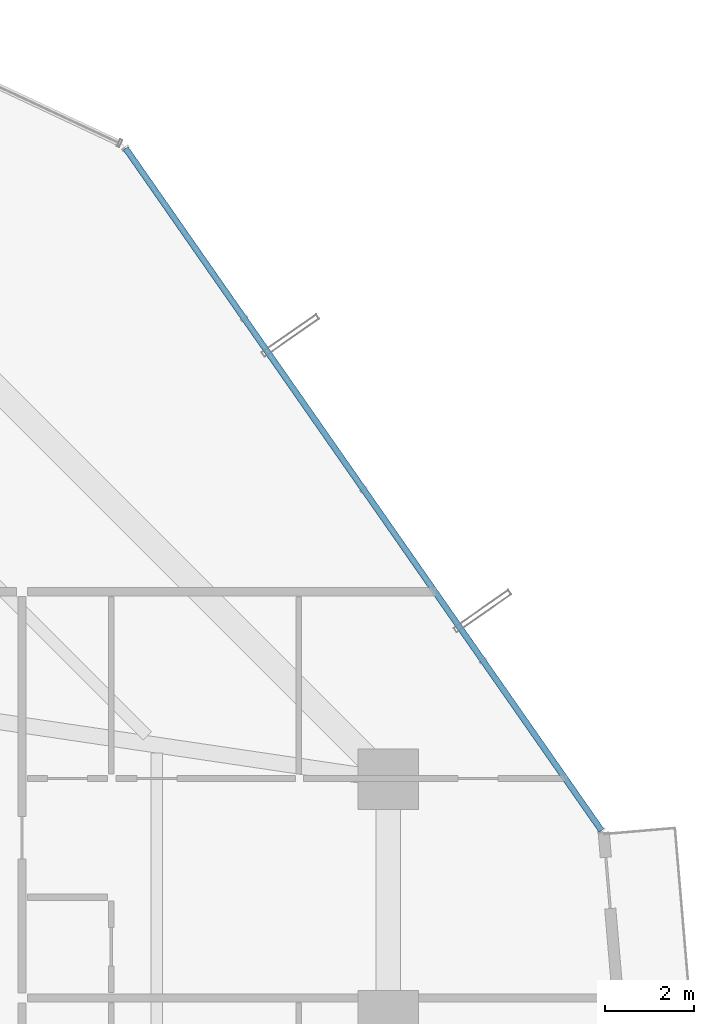
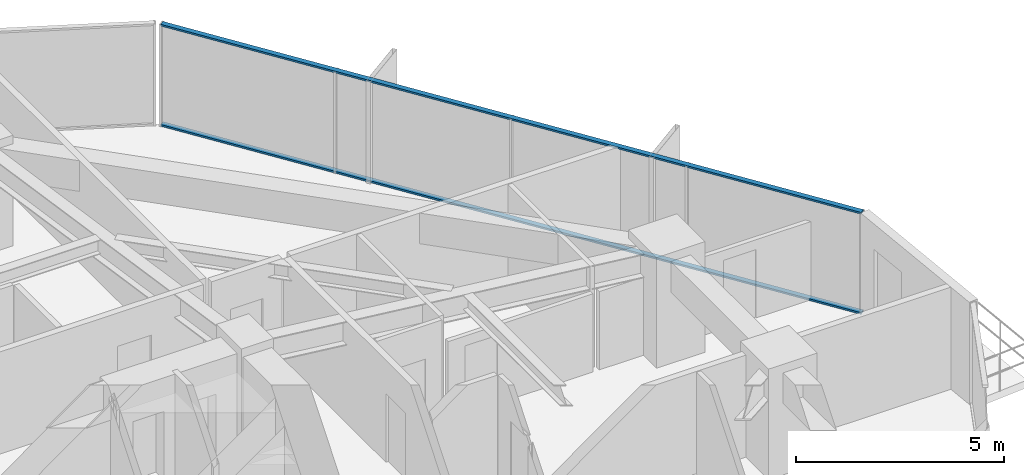
# One storey, part 30 of 37: 2 members, 1 element without a shape of its own.
"""IFC4 building model written with IfcOpenShell, lengths in metres."""

import ifcopenshell
import ifcopenshell.guid

model = None  # the IFC model being written
_history = None  # IfcOwnerHistory: only IFC2X3 demands one
_inside = {}  # id of a spatial element -> (the spatial element, [elements in it])
_under = {}  # id of a project, library or spatial element -> (it, [spatial elements below it])
_declared = {}  # id of a project -> (the project, [libraries it declares])
_typed = {}  # id of a type object -> (the type object, [elements of that type])
_made_of = {}  # id of a material, layer set ... -> (it, [elements and type objects made of it])


def new_model(schema):
    """Start an empty IFC model of exactly this schema.

    Asked for "IFC4X3", IfcOpenShell would pick the latest addendum, in which some entities
    have other attributes; the version numbers below select the first issue.
    IFC2X3 requires an IfcOwnerHistory on every rooted entity: one is made here for all.
    """
    global model, _history
    if schema == "IFC4X3":
        model = ifcopenshell.file(schema_version=(4, 3, 0, 0))
    else:
        model = ifcopenshell.file(schema=schema)
    _inside.clear()
    _under.clear()
    _declared.clear()
    _typed.clear()
    _made_of.clear()
    _history = None
    if model.schema == "IFC2X3":
        org = make("IfcOrganization", Name="unknown")
        user = make(
            "IfcPersonAndOrganization",
            ThePerson=make("IfcPerson", FamilyName="unknown"),
            TheOrganization=org,
        )
        app = make(
            "IfcApplication",
            ApplicationDeveloper=org,
            Version="unknown",
            ApplicationFullName="unknown",
            ApplicationIdentifier="unknown",
        )
        _history = make(
            "IfcOwnerHistory",
            OwningUser=user,
            OwningApplication=app,
            ChangeAction="ADDED",
            CreationDate=0,
        )
    return model


def make(cls, **values):
    """One entity of the class cls with the attributes given. An attribute that is None is left unset."""
    return model.create_entity(
        cls, **{name: value for name, value in values.items() if value is not None}
    )


def rooted(cls, **values):
    """An entity with a GlobalId (a new one), such as an element, a storey or a relation."""
    return make(cls, GlobalId=ifcopenshell.guid.new(), OwnerHistory=_history, **values)


def si_unit(unit_type, name, prefix=None):
    """IfcSIUnit, for example si_unit("LENGTHUNIT", "METRE", prefix="MILLI")."""
    return make("IfcSIUnit", UnitType=unit_type, Prefix=prefix, Name=name)


def assignment(units):
    """IfcUnitAssignment: the units of a project."""
    return None if units is None else make("IfcUnitAssignment", Units=units)


def point(xyz):
    """IfcCartesianPoint."""
    return None if xyz is None else make("IfcCartesianPoint", Coordinates=xyz)


def direction(xyz):
    """IfcDirection."""
    return None if xyz is None else make("IfcDirection", DirectionRatios=xyz)


def frame(location, z_axis=None, x_axis=None):
    """IfcAxis2Placement3D, a coordinate frame: its origin and axes. An axis left out is left unset."""
    return make(
        "IfcAxis2Placement3D",
        Location=point(location),
        Axis=direction(z_axis),
        RefDirection=direction(x_axis),
    )


def frame_2d(location, x_axis=None):
    """IfcAxis2Placement2D, a coordinate frame in the plane: its origin and x axis."""
    return make(
        "IfcAxis2Placement2D", Location=point(location), RefDirection=direction(x_axis)
    )


def origin():
    """The frame at (0, 0, 0) with its axes left unset."""
    return frame((0.0, 0.0, 0.0))


def origin_2d():
    """The frame at (0, 0) in the plane with its x axis left unset."""
    return frame_2d((0.0, 0.0))


def place(relative_to, where):
    """IfcLocalPlacement: puts the frame where relative to a parent placement (None: the world)."""
    return make(
        "IfcLocalPlacement", PlacementRelTo=relative_to, RelativePlacement=where
    )


def context(
    kind, dimensions, precision=None, world=None, true_north=None, identifier=None
):
    """IfcGeometricRepresentationContext, for example the 3D "Model" context."""
    return make(
        "IfcGeometricRepresentationContext",
        ContextIdentifier=identifier,
        ContextType=kind,
        CoordinateSpaceDimension=dimensions,
        Precision=precision,
        WorldCoordinateSystem=world,
        TrueNorth=true_north,
    )


def subcontext(parent, identifier, kind, view, scale=None):
    """IfcGeometricRepresentationSubContext, for example "Body" below "Model"."""
    return make(
        "IfcGeometricRepresentationSubContext",
        ContextIdentifier=identifier,
        ContextType=kind,
        ParentContext=parent,
        TargetScale=scale,
        TargetView=view,
    )


def project(units=None, contexts=None):
    """IfcProject with its units and contexts."""
    return rooted(
        "IfcProject",
        Name="project",
        RepresentationContexts=contexts,
        UnitsInContext=assignment(units),
    )


def spatial(cls, under=None, at=None, **own):
    """A site, building, storey or space (cls), placed at a placement, below another one or the project."""
    s = rooted(cls, ObjectPlacement=at, **own)
    if under is not None:
        _under.setdefault(under.id(), (under, []))[1].append(s)
    return s


def profile(cls, at=None, kind="AREA", **sizes):
    """A parametric profile (cls). Its sizes go by their IFC names, for example OverallWidth=200.0."""
    return make(cls, ProfileType=kind, Position=at, **sizes)


def hollow_rectangle(**sizes):
    """IfcRectangleHollowProfileDef."""
    return profile("IfcRectangleHollowProfileDef", **sizes)


def extrude(swept, where, along, depth):
    """IfcExtrudedAreaSolid: the profile swept, set in the frame where, extruded along a direction by depth."""
    return make(
        "IfcExtrudedAreaSolid",
        SweptArea=swept,
        Position=where,
        ExtrudedDirection=direction(along),
        Depth=depth,
    )


def shape(context_of_items, identifier, shape_type, items):
    """IfcShapeRepresentation: the items that make up one representation, for example the "Body"."""
    return make(
        "IfcShapeRepresentation",
        ContextOfItems=context_of_items,
        RepresentationIdentifier=identifier,
        RepresentationType=shape_type,
        Items=items,
    )


def source(mapping_origin, context_of_items, identifier, shape_type, items):
    """IfcRepresentationMap: a shape defined once, which mapped items show again and again."""
    return make(
        "IfcRepresentationMap",
        MappingOrigin=mapping_origin,
        MappedRepresentation=shape(context_of_items, identifier, shape_type, items),
    )


def transform(
    local_origin,
    x_axis=None,
    y_axis=None,
    z_axis=None,
    scale=None,
    scale2=None,
    scale3=None,
    uniform=True,
):
    """IfcCartesianTransformationOperator3D, or its non-uniform kind. x_axis, y_axis, z_axis: its Axis1, 2, 3."""
    if uniform:
        return make(
            "IfcCartesianTransformationOperator3D",
            Axis1=direction(x_axis),
            Axis2=direction(y_axis),
            LocalOrigin=point(local_origin),
            Scale=scale,
            Axis3=direction(z_axis),
        )
    return make(
        "IfcCartesianTransformationOperator3DnonUniform",
        Axis1=direction(x_axis),
        Axis2=direction(y_axis),
        LocalOrigin=point(local_origin),
        Scale=scale,
        Axis3=direction(z_axis),
        Scale2=scale2,
        Scale3=scale3,
    )


def mapped(mapping_source, mapping_target):
    """IfcMappedItem: shows the shape of a source again, moved by a transform."""
    return make(
        "IfcMappedItem", MappingSource=mapping_source, MappingTarget=mapping_target
    )


def material(Name=None, Category=None):
    """IfcMaterial."""
    return make("IfcMaterial", Name=Name, Category=Category)


def layer(
    of_material, thickness, ventilated=None, Name=None, Category=None, Priority=None
):
    """IfcMaterialLayer: one layer of a wall or slab, of a material (None: an air gap)."""
    return make(
        "IfcMaterialLayer",
        Material=of_material,
        LayerThickness=thickness,
        IsVentilated=ventilated,
        Name=Name,
        Category=Category,
        Priority=Priority,
    )


def layer_set(layers, Name=None):
    """IfcMaterialLayerSet."""
    return make("IfcMaterialLayerSet", MaterialLayers=layers, LayerSetName=Name)


def material_profile(
    of_material, cross_section, Name=None, Category=None, Priority=None
):
    """IfcMaterialProfile: a cross section and its material."""
    return make(
        "IfcMaterialProfile",
        Name=Name,
        Material=of_material,
        Profile=cross_section,
        Priority=Priority,
        Category=Category,
    )


def profile_set(profiles, Name=None, composite=None):
    """IfcMaterialProfileSet."""
    return make(
        "IfcMaterialProfileSet",
        Name=Name,
        MaterialProfiles=profiles,
        CompositeProfile=composite,
    )


def made_of(thing, what):
    """Note that an element or type object is made of a material, layer set ...; save() writes the relation."""
    if what is not None:
        _made_of.setdefault(what.id(), (what, []))[1].append(thing)
    return thing


def type_object(cls, material=None, **own):
    """A type object (cls), such as IfcWallType, which elements share."""
    return made_of(rooted(cls, **own), material)


def element(
    cls,
    number,
    at=None,
    inside=None,
    cuts=None,
    type_object=None,
    material=None,
    context=None,
    identifier="Body",
    shape_type=None,
    held_by="IfcProductDefinitionShape",
    body=None,
    shapes=None,
    **own,
):
    """One element of the class cls, such as IfcWall. Its Tag is "e" and its number.

    at: its placement. inside: the storey or other place that contains it. cuts: it is an
    opening in that element (IfcRelVoidsElement). A single representation is given by context,
    identifier, shape_type and body (its items); several are given by shapes. held_by: the class
    of the entity that holds the representations. save() writes the other relations.
    """
    e = rooted(cls, Tag="e%d" % number, ObjectPlacement=at, **own)
    if body is not None:
        shapes = [shape(context, identifier, shape_type, body)]
    if shapes is not None:
        e.Representation = make(held_by, Representations=shapes)
    if inside is not None:
        _inside.setdefault(inside.id(), (inside, []))[1].append(e)
    if cuts is not None:
        rooted(
            "IfcRelVoidsElement", RelatingBuildingElement=cuts, RelatedOpeningElement=e
        )
    if type_object is not None:
        _typed.setdefault(type_object.id(), (type_object, []))[1].append(e)
    return made_of(e, material)


def aggregate(whole, parts):
    """IfcRelAggregates: a whole, such as a stair, and the parts it consists of."""
    return rooted("IfcRelAggregates", RelatingObject=whole, RelatedObjects=parts)


def save(model, path):
    """Write the relations noted so far, then the file.

    IfcRelAggregates (storeys below a building ...), IfcRelContainedInSpatialStructure (elements
    in a storey), IfcRelDefinesByType, IfcRelAssociatesMaterial and IfcRelDeclares: one each for
    every whole, place, type object, material and project.
    """
    for whole, parts in _under.values():
        aggregate(whole, parts)
    for where, things in _inside.values():
        rooted(
            "IfcRelContainedInSpatialStructure",
            RelatedElements=things,
            RelatingStructure=where,
        )
    for kind, things in _typed.values():
        rooted("IfcRelDefinesByType", RelatedObjects=things, RelatingType=kind)
    for what, things in _made_of.values():
        rooted("IfcRelAssociatesMaterial", RelatedObjects=things, RelatingMaterial=what)
    for by, libraries in _declared.values():
        rooted("IfcRelDeclares", RelatingContext=by, RelatedDefinitions=libraries)
    model.write(path)


model = new_model("IFC4")

# Units and contexts
model_context = context("Model", 3, precision=1e-05, world=origin(), true_north=direction((0.0, 1.0)))
body_context = subcontext(model_context, "Body", "Model", "MODEL_VIEW")
ifc_project = project(units=[si_unit("LENGTHUNIT", "METRE"), si_unit("AREAUNIT", "SQUARE_METRE"), si_unit("VOLUMEUNIT", "CUBIC_METRE"), si_unit("PLANEANGLEUNIT", "RADIAN"), si_unit("MASSUNIT", "GRAM", prefix="KILO")], contexts=[model_context])

# Site, building, storey
site_placement = place(None, origin())
site = spatial("IfcSite", under=ifc_project, at=site_placement, CompositionType="ELEMENT")
building_placement = place(site_placement, origin())
building = spatial("IfcBuilding", under=site, at=building_placement, Name="Veraguas Prism Commons", CompositionType="ELEMENT")
storey_placement = place(building_placement, frame((0.0, 0.0, 40.300048828125)))
storey = spatial("IfcBuildingStorey", under=building, at=storey_placement, Name="L10", CompositionType="ELEMENT", Elevation=40.300048828125)

# Curtain wall, members
ifc_material = material(Name="Anodised aluminium EN AW-6063 T6", Category="aluminium")
ifc_layer = layer(ifc_material, 0.169921875, Name="Unitised Flush Curtain Wall Zone 1", Category="aluminium")
ifc_layer_set = layer_set([ifc_layer], Name="Anodised aluminium EN AW-6063 T6")
curtain_wall_type = type_object("IfcCurtainWallType", Name="Unitised Flush Curtain Wall Zone 1", PredefinedType="NOTDEFINED", material=ifc_layer_set)
curtain_wall_placement = place(storey_placement, origin())
curtain_wall = element("IfcCurtainWall", 1, at=curtain_wall_placement, inside=storey, type_object=curtain_wall_type, Name="Tower Facade Curtain Wall L10-F1", PredefinedType="NOTDEFINED")
ifc_material_profile = material_profile(ifc_material, hollow_rectangle(XDim=0.054931640625, YDim=0.135009765625, WallThickness=0.0029296875, at=origin_2d()), Name="AL55X135X3")
ifc_profile_set = profile_set([ifc_material_profile], Name="Anodised aluminium EN AW-6063 T6")
member_type = type_object("IfcMemberType", Name="Curtain Wall Transom Standard AL 55x135x3", PredefinedType="USERDEFINED", material=ifc_profile_set)
shared_shape = source(origin(), body_context, "Body", "SweptSolid", [
    extrude(hollow_rectangle(XDim=0.054931640625, YDim=0.135009765625, WallThickness=0.0029296875, at=origin_2d()), origin(), (0.0, 0.0, 1.0), 18.623779296875),
])
member_1_placement = place(storey_placement, frame((46.374267578125, 28.254638671875, 0.02734375), z_axis=(-0.572143660766, 0.820153419456, 0.0), x_axis=(0.0, 0.0, 1.0)))
member_1 = element("IfcMember", 2, at=member_1_placement, type_object=member_type, Name="CW-Z1 Transom 1", ObjectType="TRANSOM", PredefinedType="USERDEFINED", context=body_context, shape_type="MappedRepresentation", body=[
    mapped(shared_shape, transform((0.0, 0.0, 0.0), scale=1.0)),
])
member_2_placement = place(storey_placement, frame((46.374267578125, 28.254638671875, 2.972412109375), z_axis=(-0.572143660766, 0.820153419456, 0.0), x_axis=(0.0, 0.0, 1.0)))
member_2 = element("IfcMember", 3, at=member_2_placement, type_object=member_type, Name="CW-Z1 Transom 2", ObjectType="TRANSOM", PredefinedType="USERDEFINED", context=body_context, shape_type="MappedRepresentation", body=[
    mapped(shared_shape, transform((0.0, 0.0, 0.0), scale=1.0)),
])
aggregate(curtain_wall, [member_1, member_2])

save(model, "model.ifc")
